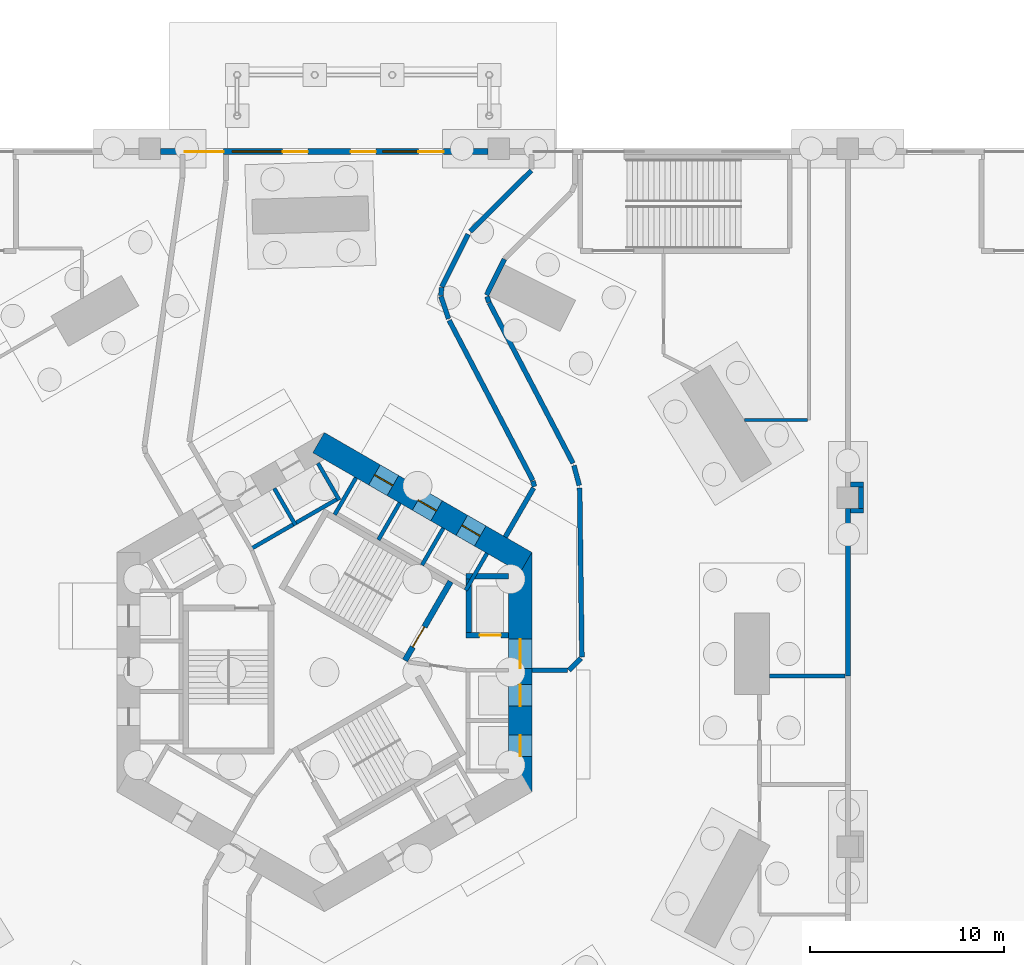
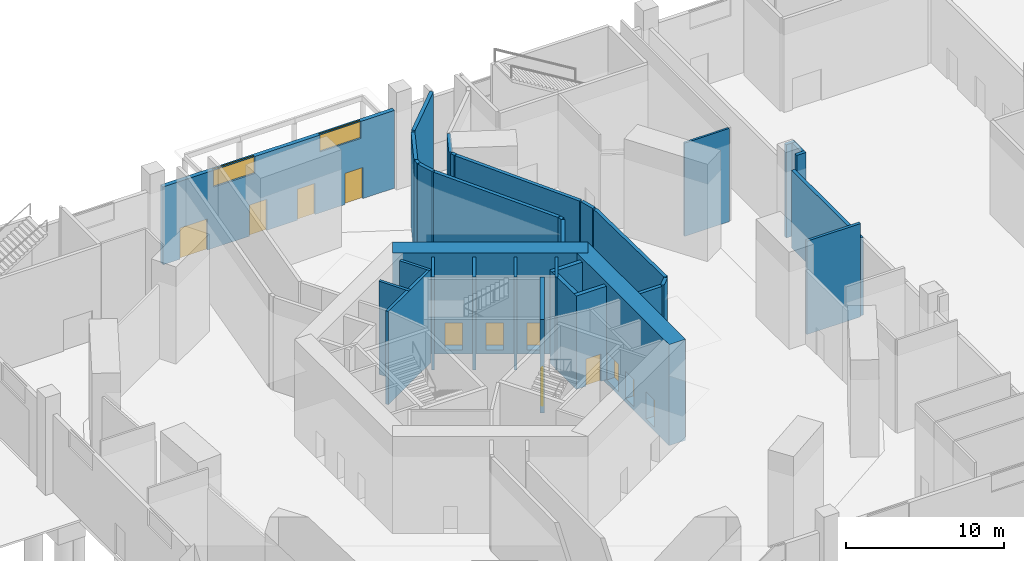
# One storey, part 9 of 16: 34 walls, 12 doors, 2 windows, 14 openings.
"""IFC4 building model written with IfcOpenShell, lengths in metres."""

from ifc_helpers import new_model, si_unit, direction, frame, frame_2d, origin, place, context, subcontext, project, spatial, rectangle, extrude, material, layer, layer_set, type_object, element, fill, save


model = new_model("IFC4")

# Units and contexts
model_context = context("Model", 3, precision=1e-05, world=origin(), true_north=direction((0.0, 1.0)))
body_context = subcontext(model_context, "Body", "Model", "MODEL_VIEW")
ifc_project = project(units=[si_unit("LENGTHUNIT", "METRE"), si_unit("AREAUNIT", "SQUARE_METRE"), si_unit("VOLUMEUNIT", "CUBIC_METRE"), si_unit("PLANEANGLEUNIT", "RADIAN"), si_unit("MASSUNIT", "GRAM", prefix="KILO")], contexts=[model_context])

# Site, building, storey
site_placement = place(None, origin())
site = spatial("IfcSite", under=ifc_project, at=site_placement, CompositionType="ELEMENT")
building_placement = place(site_placement, origin())
building = spatial("IfcBuilding", under=site, at=building_placement, Name="Vanh Sen Convention Tower", CompositionType="ELEMENT")
storey_placement = place(building_placement, origin())
storey = spatial("IfcBuildingStorey", under=building, at=storey_placement, Name="L00", CompositionType="ELEMENT", Elevation=0.0)

# Walls
ifc_material_1 = material(Name="Concrete C40/50", Category="concrete")
ifc_layer_1 = layer(ifc_material_1, 0.25)
ifc_layer_set_1 = layer_set([ifc_layer_1], Name="Concrete C40/50")
wall_type_1 = type_object("IfcWallType", Name="Concrete wall 250 EI 180", PredefinedType="SOLIDWALL", material=ifc_layer_set_1)
wall_1_placement = place(storey_placement, frame((27.0, -0.199951171875, 0.0), z_axis=(0.0, 0.0, 1.0), x_axis=(0.0, 1.0, 0.0)))
element("IfcWall", 1, at=wall_1_placement, inside=storey, type_object=wall_type_1, Name="Fire-resisting wall L00-042", PredefinedType="SOLIDWALL", context=body_context, shape_type="SweptSolid", body=[
    extrude(rectangle(XDim=8.64990234375, YDim=0.25, at=frame_2d((4.324951171875, 0.0))), origin(), (0.0, 0.0, 1.0), 6.0),
])
wall_2_placement = place(storey_placement, frame((27.125, 8.324951171875, 0.0), z_axis=(0.0, 0.0, 1.0), x_axis=(1.0, 0.0, 0.0)))
element("IfcWall", 2, at=wall_2_placement, inside=storey, type_object=wall_type_1, Name="Fire-resisting wall L00-049", PredefinedType="SOLIDWALL", context=body_context, shape_type="SweptSolid", body=[
    extrude(rectangle(XDim=0.677001953125, YDim=0.25, at=frame_2d((0.33837890625, 0.0))), origin(), (0.0, 0.0, 1.0), 7.199951171875),
])
wall_3_placement = place(storey_placement, frame((27.677001953125, 8.449951171875, 0.0), z_axis=(0.0, 0.0, 1.0), x_axis=(0.0, 1.0, 0.0)))
element("IfcWall", 3, at=wall_3_placement, inside=storey, type_object=wall_type_1, Name="Fire-resisting wall L00-050", PredefinedType="SOLIDWALL", context=body_context, shape_type="SweptSolid", body=[
    extrude(rectangle(XDim=1.10009765625, YDim=0.25, at=frame_2d((0.550048828125, 0.0))), origin(), (0.0, 0.0, 1.0), 7.199951171875),
])
wall_4_placement = place(storey_placement, frame((27.125, 9.675048828125, 0.0), z_axis=(0.0, 0.0, 1.0), x_axis=(1.0, 0.0, 0.0)))
element("IfcWall", 4, at=wall_4_placement, inside=storey, type_object=wall_type_1, Name="Fire-resisting wall L00-054", PredefinedType="SOLIDWALL", context=body_context, shape_type="SweptSolid", body=[
    extrude(rectangle(XDim=0.677001953125, YDim=0.25, at=frame_2d((0.33837890625, 0.0))), origin(), (0.0, 0.0, 1.0), 7.199951171875),
])
ifc_layer_2 = layer(ifc_material_1, 0.25)
ifc_layer_set_2 = layer_set([ifc_layer_2], Name="Concrete C40/50")
wall_type_2 = type_object("IfcWallType", Name="Concrete wall 250 REI 180", PredefinedType="SOLIDWALL", material=ifc_layer_set_2)
wall_5_placement = place(storey_placement, frame((12.54052734375, 0.10009765625, 0.0), z_axis=(0.0, 0.0, 1.0), x_axis=(-1.0, 0.0, 0.0)))
element("IfcWall", 5, at=wall_5_placement, inside=storey, type_object=wall_type_2, Name="Fire-resisting wall L00-043", PredefinedType="SOLIDWALL", context=body_context, shape_type="SweptSolid", body=[
    extrude(rectangle(XDim=1.840576171875, YDim=0.25, at=frame_2d((0.92041015625, 0.0))), origin(), (0.0, 0.0, 1.0), 7.199951171875),
])
wall_6_placement = place(storey_placement, frame((13.224853515625, 0.712646484375, 0.0), z_axis=(0.0, 0.0, 1.0), x_axis=(-0.702266678406, -0.711913978231, 0.0)))
element("IfcWall", 6, at=wall_6_placement, inside=storey, type_object=wall_type_2, Name="Fire-resisting wall L00-044", PredefinedType="SOLIDWALL", context=body_context, shape_type="SweptSolid", body=[
    extrude(rectangle(XDim=0.8603515625, YDim=0.25, at=frame_2d((0.43017578125, 0.0))), origin(), (0.0, 0.0, 1.0), 7.199951171875),
])
wall_7_placement = place(storey_placement, frame((9.3291015625, 6.968994140625, 0.0), z_axis=(0.0, 0.0, 1.0), x_axis=(0.49998782916, 0.866032430508, 0.0)))
element("IfcWall", 7, at=wall_7_placement, inside=storey, type_object=wall_type_2, Name="Fire-resisting wall L00-047", PredefinedType="SOLIDWALL", context=body_context, shape_type="SweptSolid", body=[
    extrude(rectangle(XDim=2.919921875, YDim=0.25, at=frame_2d((1.4599609375, 0.0))), origin(), (0.0, 0.0, 1.0), 7.199951171875),
])
wall_8_placement = place(storey_placement, frame((13.1650390625, 9.490478515625, 0.0), z_axis=(0.0, 0.0, 1.0), x_axis=(0.013296324571, -0.999911599969, 0.0)))
element("IfcWall", 8, at=wall_8_placement, inside=storey, type_object=wall_type_2, Name="Fire-resisting wall L00-052", PredefinedType="SOLIDWALL", context=body_context, shape_type="SweptSolid", body=[
    extrude(rectangle(XDim=8.7216796875, YDim=0.25, at=frame_2d((4.36083984375, 0.0))), origin(), (0.0, 0.0, 1.0), 7.199951171875),
])
wall_9_placement = place(storey_placement, frame((10.75537109375, 9.8564453125, 0.0), z_axis=(0.0, 0.0, 1.0), x_axis=(0.258174364225, -0.966098337467, 0.0)))
element("IfcWall", 9, at=wall_9_placement, inside=storey, type_object=wall_type_2, Name="Fire-resisting wall L00-055", PredefinedType="SOLIDWALL", context=body_context, shape_type="SweptSolid", body=[
    extrude(rectangle(XDim=0.296875, YDim=0.25, at=frame_2d((0.1484375, 0.0))), origin(), (0.0, 0.0, 1.0), 7.199951171875),
])
wall_10_placement = place(storey_placement, frame((10.7451171875, 9.89501953125, 0.0), z_axis=(0.0, 0.0, 1.0), x_axis=(-0.463048194797, 0.886333102899, 0.0)))
element("IfcWall", 10, at=wall_10_placement, inside=storey, type_object=wall_type_2, Name="Fire-resisting wall L00-056", PredefinedType="SOLIDWALL", context=body_context, shape_type="SweptSolid", body=[
    extrude(rectangle(XDim=9.30810546875, YDim=0.25, at=frame_2d((4.654052734375, 0.0))), origin(), (0.0, 0.0, 1.0), 7.199951171875),
])
wall_11_placement = place(storey_placement, frame((12.87060546875, 10.656494140625, 0.0), z_axis=(0.0, 0.0, 1.0), x_axis=(0.258862263765, -0.965914244847, 0.0)))
element("IfcWall", 11, at=wall_11_placement, inside=storey, type_object=wall_type_2, Name="Fire-resisting wall L00-059", PredefinedType="SOLIDWALL", context=body_context, shape_type="SweptSolid", body=[
    extrude(rectangle(XDim=1.06396484375, YDim=0.25, at=frame_2d((0.531982421875, 0.0))), origin(), (0.0, 0.0, 1.0), 7.199951171875),
])
wall_12_placement = place(storey_placement, frame((6.400390625, 18.2275390625, 0.0), z_axis=(0.0, 0.0, 1.0), x_axis=(-0.317543082995, 0.948243845454, 0.0)))
element("IfcWall", 12, at=wall_12_placement, inside=storey, type_object=wall_type_2, Name="Fire-resisting wall L00-066", PredefinedType="SOLIDWALL", context=body_context, shape_type="SweptSolid", body=[
    extrude(rectangle(XDim=1.224853515625, YDim=0.25, at=frame_2d((0.6123046875, 0.0))), origin(), (0.0, 0.0, 1.0), 7.199951171875),
])
wall_13_placement = place(storey_placement, frame((8.500732421875, 19.05029296875, 0.0), z_axis=(0.0, 0.0, 1.0), x_axis=(0.463035832023, -0.88633956149, 0.0)))
element("IfcWall", 13, at=wall_13_placement, inside=storey, type_object=wall_type_2, Name="Fire-resisting wall L00-067", PredefinedType="SOLIDWALL", context=body_context, shape_type="SweptSolid", body=[
    extrude(rectangle(XDim=9.33984375, YDim=0.25, at=frame_2d((4.669921875, 0.0))), origin(), (0.0, 0.0, 1.0), 7.199951171875),
])
wall_14_placement = place(storey_placement, frame((8.389404296875, 19.373046875, 0.0), z_axis=(0.0, 0.0, 1.0), x_axis=(0.317366412838, -0.948302989557, 0.0)))
element("IfcWall", 14, at=wall_14_placement, inside=storey, type_object=wall_type_2, Name="Fire-resisting wall L00-068", PredefinedType="SOLIDWALL", context=body_context, shape_type="SweptSolid", body=[
    extrude(rectangle(XDim=0.321533203125, YDim=0.25, at=frame_2d((0.16064453125, 0.0))), origin(), (0.0, 0.0, 1.0), 7.199951171875),
])
wall_15_placement = place(storey_placement, frame((6.01416015625, 19.428955078125, 0.0), z_axis=(0.0, 0.0, 1.0), x_axis=(0.06950119921, 0.997581867973, 0.0)))
element("IfcWall", 15, at=wall_15_placement, inside=storey, type_object=wall_type_2, Name="Fire-resisting wall L00-069", PredefinedType="SOLIDWALL", context=body_context, shape_type="SweptSolid", body=[
    extrude(rectangle(XDim=0.407470703125, YDim=0.25, at=frame_2d((0.20361328125, 0.0))), origin(), (0.0, 0.0, 1.0), 7.199951171875),
])
wall_16_placement = place(storey_placement, frame((6.060302734375, 19.871337890625, 0.0), z_axis=(0.0, 0.0, 1.0), x_axis=(0.446215108919, 0.894925738021, 0.0)))
element("IfcWall", 16, at=wall_16_placement, inside=storey, type_object=wall_type_2, Name="Fire-resisting wall L00-070", PredefinedType="SOLIDWALL", context=body_context, shape_type="SweptSolid", body=[
    extrude(rectangle(XDim=3.03271484375, YDim=0.25, at=frame_2d((1.516357421875, 0.0))), origin(), (0.0, 0.0, 1.0), 7.199951171875),
])
wall_17_placement = place(storey_placement, frame((9.28564453125, 21.297607421875, 0.0), z_axis=(0.0, 0.0, 1.0), x_axis=(-0.446173207246, -0.894946629211, 0.0)))
element("IfcWall", 17, at=wall_17_placement, inside=storey, type_object=wall_type_2, Name="Fire-resisting wall L00-071", PredefinedType="SOLIDWALL", context=body_context, shape_type="SweptSolid", body=[
    extrude(rectangle(XDim=2.065673828125, YDim=0.25, at=frame_2d((1.03271484375, 0.0))), origin(), (0.0, 0.0, 1.0), 7.199951171875),
])
wall_18_placement = place(storey_placement, frame((7.52099609375, 22.734619140625, 0.0), z_axis=(0.0, 0.0, 1.0), x_axis=(0.709436783923, 0.704769075383, 0.0)))
element("IfcWall", 18, at=wall_18_placement, inside=storey, type_object=wall_type_2, Name="Fire-resisting wall L00-080", PredefinedType="SOLIDWALL", context=body_context, shape_type="SweptSolid", body=[
    extrude(rectangle(XDim=4.44580078125, YDim=0.25, at=frame_2d((2.222900390625, 0.0))), origin(), (0.0, 0.0, 1.0), 7.199951171875),
])

# Wall, openings, doors
ifc_material_2 = material(Name="Concrete C80/95", Category="concrete")
ifc_layer_3 = layer(ifc_material_2, 1.199951171875)
ifc_layer_set_3 = layer_set([ifc_layer_3], Name="Concrete C80/95")
wall_type_3 = type_object("IfcWallType", Name="Core outer wall 1200 C80/95", PredefinedType="SHEAR", material=ifc_layer_set_3)
wall_19_placement = place(storey_placement, frame((10.10009765625, -6.177490234375, -0.300048828125), z_axis=(0.0, 0.0, 1.0), x_axis=(0.0, 1.0, 0.0)))
wall_19 = element("IfcWall", 19, at=wall_19_placement, inside=storey, type_object=wall_type_3, Name="Core wall face E L00", PredefinedType="SHEAR", context=body_context, shape_type="SweptSolid", body=[
    extrude(rectangle(XDim=12.35498046875, YDim=1.199951171875, at=frame_2d((6.177490234375, 0.0))), origin(), (0.0, 0.0, 1.0), 7.800048828125),
])
opening_1_placement = place(wall_19_placement, frame((6.377685546875, 0.0, 0.300048828125)))
opening_1 = element("IfcOpeningElement", 20, at=opening_1_placement, cuts=wall_19, Name="Opening D00001", PredefinedType="OPENING", context=body_context, shape_type="SweptSolid", body=[
    extrude(rectangle(XDim=1.5, YDim=2.10009765625, at=frame_2d((0.75, 1.050048828125))), frame((0.0, 0.60986328125, 0.0), z_axis=(0.0, -1.0, 0.0), x_axis=(1.0, 0.0, 0.0)), (0.0, 0.0, 1.0), 1.219970703125),
])
opening_2_placement = place(wall_19_placement, frame((1.82763671875, 0.0, 0.300048828125)))
opening_2 = element("IfcOpeningElement", 21, at=opening_2_placement, cuts=wall_19, Name="Opening LD-LR1", PredefinedType="OPENING", context=body_context, shape_type="SweptSolid", body=[
    extrude(rectangle(XDim=1.10009765625, YDim=2.10009765625, at=frame_2d((0.550048828125, 1.050048828125))), frame((0.0, 0.60986328125, 0.0), z_axis=(0.0, -1.0, 0.0), x_axis=(1.0, 0.0, 0.0)), (0.0, 0.0, 1.0), 1.219970703125),
])
opening_3_placement = place(wall_19_placement, frame((4.427490234375, 0.0, 0.300048828125)))
opening_3 = element("IfcOpeningElement", 22, at=opening_3_placement, cuts=wall_19, Name="Opening LD-LR2", PredefinedType="OPENING", context=body_context, shape_type="SweptSolid", body=[
    extrude(rectangle(XDim=1.10009765625, YDim=2.10009765625, at=frame_2d((0.550048828125, 1.050048828125))), frame((0.0, 0.60986328125, 0.0), z_axis=(0.0, -1.0, 0.0), x_axis=(1.0, 0.0, 0.0)), (0.0, 0.0, 1.0), 1.219970703125),
])
ifc_material_3 = material(Name="Stainless steel", Category="steel")
door_type_1 = type_object("IfcDoorType", Name="Lift landing door 1100", OperationType="DOUBLE_DOOR_SLIDING", PredefinedType="DOOR", material=ifc_material_3)
door_1_placement = place(opening_2_placement, origin())
door_1 = element("IfcDoor", 23, at=door_1_placement, inside=storey, type_object=door_type_1, Name="Lift LR1 landing door LD-LR1", OperationType="DOUBLE_DOOR_SLIDING", OverallHeight=2.10009765625, OverallWidth=1.10009765625, PredefinedType="DOOR", context=body_context, shape_type="SweptSolid", body=[
    extrude(rectangle(XDim=1.10009765625, YDim=2.10009765625, at=frame_2d((0.550048828125, 1.050048828125))), frame((0.0, 0.02490234375, 0.0), z_axis=(0.0, -1.0, 0.0), x_axis=(1.0, 0.0, 0.0)), (0.0, 0.0, 1.0), 0.050048828125),
])
fill(opening_2, door_1)
door_2_placement = place(opening_3_placement, origin())
door_2 = element("IfcDoor", 24, at=door_2_placement, inside=storey, type_object=door_type_1, Name="Lift LR2 landing door LD-LR2", OperationType="DOUBLE_DOOR_SLIDING", OverallHeight=2.10009765625, OverallWidth=1.10009765625, PredefinedType="DOOR", context=body_context, shape_type="SweptSolid", body=[
    extrude(rectangle(XDim=1.10009765625, YDim=2.10009765625, at=frame_2d((0.550048828125, 1.050048828125))), frame((0.0, 0.02490234375, 0.0), z_axis=(0.0, -1.0, 0.0), x_axis=(1.0, 0.0, 0.0)), (0.0, 0.0, 1.0), 0.050048828125),
])
fill(opening_3, door_2)
ifc_material_4 = material(Name="Steel S355", Category="steel")
door_type_2 = type_object("IfcDoorType", Name="Stair lobby door 1500", OperationType="DOUBLE_DOOR_SINGLE_SWING", PredefinedType="DOOR", material=ifc_material_4)
door_3_placement = place(opening_1_placement, origin())
door_3 = element("IfcDoor", 25, at=door_3_placement, inside=storey, type_object=door_type_2, Name="Stair lobby door D00001", OperationType="DOUBLE_DOOR_SINGLE_SWING", OverallHeight=2.10009765625, OverallWidth=1.5, PredefinedType="DOOR", context=body_context, shape_type="SweptSolid", body=[
    extrude(rectangle(XDim=1.5, YDim=2.10009765625, at=frame_2d((0.75, 1.050048828125))), frame((0.0, 0.02490234375, 0.0), z_axis=(0.0, -1.0, 0.0), x_axis=(1.0, 0.0, 0.0)), (0.0, 0.0, 1.0), 0.050048828125),
])
fill(opening_1, door_3)

wall_20_placement = place(storey_placement, frame((10.39990234375, 5.657958984375, -0.300048828125), z_axis=(0.0, 0.0, 1.0), x_axis=(-0.866021384402, 0.500006961711, 0.0)))
wall_20 = element("IfcWall", 26, at=wall_20_placement, inside=storey, type_object=wall_type_3, Name="Core wall face NE L00", PredefinedType="SHEAR", context=body_context, shape_type="SweptSolid", body=[
    extrude(rectangle(XDim=12.355224609375, YDim=1.199951171875, at=frame_2d((6.177734375, 0.0))), origin(), (0.0, 0.0, 1.0), 7.800048828125),
])
opening_4_placement = place(wall_20_placement, frame((2.727783203125, 0.0, 0.300048828125)))
opening_4 = element("IfcOpeningElement", 27, at=opening_4_placement, cuts=wall_20, Name="Opening LD-LR3", PredefinedType="OPENING", context=body_context, shape_type="SweptSolid", body=[
    extrude(rectangle(XDim=1.10009765625, YDim=2.10009765625, at=frame_2d((0.550048828125, 1.050048828125))), frame((0.0, 0.60986328125, 0.0), z_axis=(0.0, -1.0, 0.0), x_axis=(1.0, 0.0, 0.0)), (0.0, 0.0, 1.0), 1.219970703125),
])
opening_5_placement = place(wall_20_placement, frame((5.32763671875, 0.0, 0.300048828125)))
opening_5 = element("IfcOpeningElement", 28, at=opening_5_placement, cuts=wall_20, Name="Opening LD-LR4", PredefinedType="OPENING", context=body_context, shape_type="SweptSolid", body=[
    extrude(rectangle(XDim=1.10009765625, YDim=2.10009765625, at=frame_2d((0.550048828125, 1.050048828125))), frame((0.0, 0.60986328125, 0.0), z_axis=(0.0, -1.0, 0.0), x_axis=(1.0, 0.0, 0.0)), (0.0, 0.0, 1.0), 1.219970703125),
])
opening_6_placement = place(wall_20_placement, frame((7.927734375, 0.0, 0.300048828125)))
opening_6 = element("IfcOpeningElement", 29, at=opening_6_placement, cuts=wall_20, Name="Opening LD-LR5", PredefinedType="OPENING", context=body_context, shape_type="SweptSolid", body=[
    extrude(rectangle(XDim=1.10009765625, YDim=2.10009765625, at=frame_2d((0.550048828125, 1.050048828125))), frame((0.0, 0.60986328125, 0.0), z_axis=(0.0, -1.0, 0.0), x_axis=(1.0, 0.0, 0.0)), (0.0, 0.0, 1.0), 1.219970703125),
])
door_4_placement = place(opening_4_placement, origin())
door_4 = element("IfcDoor", 30, at=door_4_placement, inside=storey, type_object=door_type_1, Name="Lift LR3 landing door LD-LR3", OperationType="DOUBLE_DOOR_SLIDING", OverallHeight=2.10009765625, OverallWidth=1.10009765625, PredefinedType="DOOR", context=body_context, shape_type="SweptSolid", body=[
    extrude(rectangle(XDim=1.10009765625, YDim=2.10009765625, at=frame_2d((0.550048828125, 1.050048828125))), frame((0.0, 0.02490234375, 0.0), z_axis=(0.0, -1.0, 0.0), x_axis=(1.0, 0.0, 0.0)), (0.0, 0.0, 1.0), 0.050048828125),
])
fill(opening_4, door_4)
door_5_placement = place(opening_5_placement, origin())
door_5 = element("IfcDoor", 31, at=door_5_placement, inside=storey, type_object=door_type_1, Name="Lift LR4 landing door LD-LR4", OperationType="DOUBLE_DOOR_SLIDING", OverallHeight=2.10009765625, OverallWidth=1.10009765625, PredefinedType="DOOR", context=body_context, shape_type="SweptSolid", body=[
    extrude(rectangle(XDim=1.10009765625, YDim=2.10009765625, at=frame_2d((0.550048828125, 1.050048828125))), frame((0.0, 0.02490234375, 0.0), z_axis=(0.0, -1.0, 0.0), x_axis=(1.0, 0.0, 0.0)), (0.0, 0.0, 1.0), 0.050048828125),
])
fill(opening_5, door_5)
door_6_placement = place(opening_6_placement, origin())
door_6 = element("IfcDoor", 32, at=door_6_placement, inside=storey, type_object=door_type_1, Name="Lift LR5 landing door LD-LR5", OperationType="DOUBLE_DOOR_SLIDING", OverallHeight=2.10009765625, OverallWidth=1.10009765625, PredefinedType="DOOR", context=body_context, shape_type="SweptSolid", body=[
    extrude(rectangle(XDim=1.10009765625, YDim=2.10009765625, at=frame_2d((0.550048828125, 1.050048828125))), frame((0.0, 0.02490234375, 0.0), z_axis=(0.0, -1.0, 0.0), x_axis=(1.0, 0.0, 0.0)), (0.0, 0.0, 1.0), 0.050048828125),
])
fill(opening_6, door_6)

# Wall, opening, door
ifc_material_5 = material(Name="Concrete C60/75", Category="concrete")
ifc_layer_4 = layer(ifc_material_5, 0.300048828125)
ifc_layer_set_4 = layer_set([ifc_layer_4], Name="Concrete C60/75")
wall_type_4 = type_object("IfcWallType", Name="Fire-fighting lift shaft wall 300", PredefinedType="SHEAR", material=ifc_layer_set_4)
wall_21_placement = place(storey_placement, frame((7.300048828125, 1.89990234375, 0.0), z_axis=(0.0, 0.0, 1.0), x_axis=(1.0, 0.0, 0.0)))
wall_21 = element("IfcWall", 33, at=wall_21_placement, inside=storey, type_object=wall_type_4, Name="Fire-fighting lift shaft wall L00", PredefinedType="SHEAR", context=body_context, shape_type="SweptSolid", body=[
    extrude(rectangle(XDim=2.199951171875, YDim=0.300048828125, at=frame_2d((1.10009765625, 0.0))), origin(), (0.0, 0.0, 1.0), 7.199951171875),
])
opening_7_placement = place(wall_21_placement, frame((0.699951171875, 0.0, 0.0)))
opening_7 = element("IfcOpeningElement", 34, at=opening_7_placement, cuts=wall_21, Name="Opening LD-FF1", PredefinedType="OPENING", context=body_context, shape_type="SweptSolid", body=[
    extrude(rectangle(XDim=1.10009765625, YDim=2.10009765625, at=frame_2d((0.550048828125, 1.050048828125))), frame((0.0, 0.159912109375, 0.0), z_axis=(0.0, -1.0, 0.0), x_axis=(1.0, 0.0, 0.0)), (0.0, 0.0, 1.0), 0.320068359375),
])
door_type_3 = type_object("IfcDoorType", Name="Fire-fighting lift landing door 1100", OperationType="DOUBLE_DOOR_SLIDING", PredefinedType="DOOR", material=ifc_material_3)
door_7_placement = place(opening_7_placement, origin())
door_7 = element("IfcDoor", 35, at=door_7_placement, inside=storey, type_object=door_type_3, Name="Lift FF1 landing door LD-FF1", OperationType="DOUBLE_DOOR_SLIDING", OverallHeight=2.10009765625, OverallWidth=1.10009765625, PredefinedType="DOOR", context=body_context, shape_type="SweptSolid", body=[
    extrude(rectangle(XDim=1.10009765625, YDim=2.10009765625, at=frame_2d((0.550048828125, 1.050048828125))), frame((0.0, 0.02490234375, 0.0), z_axis=(0.0, -1.0, 0.0), x_axis=(1.0, 0.0, 0.0)), (0.0, 0.0, 1.0), 0.050048828125),
])
fill(opening_7, door_7)

# Walls
wall_22_placement = place(storey_placement, frame((7.449951171875, 1.75, 0.0), z_axis=(0.0, 0.0, 1.0), x_axis=(0.0, 1.0, 0.0)))
element("IfcWall", 36, at=wall_22_placement, inside=storey, type_object=wall_type_4, Name="Fire-fighting lift shaft wall L00", PredefinedType="SHEAR", context=body_context, shape_type="SweptSolid", body=[
    extrude(rectangle(XDim=3.35009765625, YDim=0.300048828125, at=frame_2d((1.675048828125, 0.0))), origin(), (0.0, 0.0, 1.0), 7.199951171875),
])
wall_23_placement = place(storey_placement, frame((7.300048828125, 4.949951171875, 0.0), z_axis=(0.0, 0.0, 1.0), x_axis=(1.0, 0.0, 0.0)))
element("IfcWall", 37, at=wall_23_placement, inside=storey, type_object=wall_type_4, Name="Fire-fighting lift shaft wall L00", PredefinedType="SHEAR", context=body_context, shape_type="SweptSolid", body=[
    extrude(rectangle(XDim=2.199951171875, YDim=0.300048828125, at=frame_2d((1.10009765625, 0.0))), origin(), (0.0, 0.0, 1.0), 7.199951171875),
])
ifc_layer_5 = layer(ifc_material_1, 0.199951171875)
ifc_layer_set_5 = layer_set([ifc_layer_5], Name="Concrete C40/50")
wall_type_5 = type_object("IfcWallType", Name="Lift shaft wall 200", PredefinedType="PARTITIONING", material=ifc_layer_set_5)
for number, where, z_axis, x_axis, name in (
    (38, (7.287353515625, 4.221923828125, 0.0), (0.0, 0.0, 1.0), (0.499946605688, 0.86605622881, 0.0), "Lift shaft wall L00"),
    (39, (5.03564453125, 5.52197265625, 0.0), (0.0, 0.0, 1.0), (0.499946605688, 0.86605622881, 0.0), "Lift shaft wall L00"),
    (40, (2.783935546875, 6.822021484375, 0.0), (0.0, 0.0, 1.0), (0.50002983664, 0.866008176907, 0.0), "Lift shaft wall L00"),
    (41, (0.5322265625, 8.1220703125, 0.0), (0.0, 0.0, 1.0), (0.500077893725, 0.86598042715, 0.0), "Lift shaft wall L00"),
):
    element("IfcWall", number, at=place(storey_placement, frame(where, z_axis=z_axis, x_axis=x_axis)), inside=storey, type_object=wall_type_5, Name=name, PredefinedType="PARTITIONING", context=body_context, shape_type="SweptSolid", body=[
        extrude(rectangle(XDim=2.199951171875, YDim=0.199951171875, at=frame_2d((1.10009765625, 0.0))), origin(), (0.0, 0.0, 1.0), 7.199951171875),
    ])
wall_24_placement = place(storey_placement, frame((0.80322265625, 9.008544921875, 0.0), z_axis=(0.0, 0.0, 1.0), x_axis=(-0.866028230842, -0.499995103361, 0.0)))
element("IfcWall", 42, at=wall_24_placement, inside=storey, type_object=wall_type_5, Name="Lift shaft wall L00", PredefinedType="PARTITIONING", context=body_context, shape_type="SweptSolid", body=[
    extrude(rectangle(XDim=5.39990234375, YDim=0.199951171875, at=frame_2d((2.699951171875, 0.0))), origin(), (0.0, 0.0, 1.0), 7.199951171875),
])
wall_25_placement = place(storey_placement, frame((0.7666015625, 8.8720703125, 0.0), z_axis=(0.0, 0.0, 1.0), x_axis=(-0.499994660107, 0.866028486751, 0.0)))
element("IfcWall", 43, at=wall_25_placement, inside=storey, type_object=wall_type_5, Name="Lift shaft wall L00", PredefinedType="PARTITIONING", context=body_context, shape_type="SweptSolid", body=[
    extrude(rectangle(XDim=2.19970703125, YDim=0.199951171875, at=frame_2d((1.099853515625, 0.0))), origin(), (0.0, 0.0, 1.0), 7.199951171875),
])
wall_26_placement = place(storey_placement, frame((-1.48486328125, 7.572021484375, 0.0), z_axis=(0.0, 0.0, 1.0), x_axis=(-0.50002983664, 0.866008176907, 0.0)))
element("IfcWall", 44, at=wall_26_placement, inside=storey, type_object=wall_type_5, Name="Lift shaft wall L00", PredefinedType="PARTITIONING", context=body_context, shape_type="SweptSolid", body=[
    extrude(rectangle(XDim=2.199951171875, YDim=0.199951171875, at=frame_2d((1.10009765625, 0.0))), origin(), (0.0, 0.0, 1.0), 7.199951171875),
])
ifc_material_6 = material(Name="Gypsum board on steel studs", Category="steel")
ifc_layer_6 = layer(ifc_material_6, 0.14990234375)
ifc_layer_set_6 = layer_set([ifc_layer_6], Name="Gypsum board on steel studs")
wall_type_6 = type_object("IfcWallType", Name="Partition 150 EI 60", PredefinedType="PARTITIONING", material=ifc_layer_set_6)
wall_27_placement = place(storey_placement, frame((24.919921875, 13.0, 0.0), z_axis=(0.0, 0.0, 1.0), x_axis=(-1.0, 0.0, 0.0)))
element("IfcWall", 45, at=wall_27_placement, inside=storey, type_object=wall_type_6, Name="Partition L00-062", PredefinedType="PARTITIONING", context=body_context, shape_type="SweptSolid", body=[
    extrude(rectangle(XDim=3.259521484375, YDim=0.14990234375, at=frame_2d((1.6298828125, 0.0))), origin(), (0.0, 0.0, 1.0), 7.199951171875),
])
ifc_material_7 = material(Name="Concrete C20/25", Category="concrete")
ifc_layer_7 = layer(ifc_material_7, 0.199951171875)
ifc_layer_set_7 = layer_set([ifc_layer_7], Name="Concrete C20/25")
wall_type_7 = type_object("IfcWallType", Name="Partition 200 EI 120", PredefinedType="PARTITIONING", material=ifc_layer_set_7)
wall_28_placement = place(storey_placement, frame((22.949951171875, -0.199951171875, 0.0), z_axis=(0.0, 0.0, 1.0), x_axis=(1.0, 0.0, 0.0)))
element("IfcWall", 46, at=wall_28_placement, inside=storey, type_object=wall_type_7, Name="Partition L00-041", PredefinedType="PARTITIONING", context=body_context, shape_type="SweptSolid", body=[
    extrude(rectangle(XDim=3.91015625, YDim=0.199951171875, at=frame_2d((1.955078125, 0.0))), origin(), (0.0, 0.0, 1.0), 7.199951171875),
])

# Wall, openings, doors, windows
ifc_material_8 = material(Name="Concrete C50/60", Category="concrete")
ifc_layer_8 = layer(ifc_material_8, 0.300048828125)
ifc_layer_set_8 = layer_set([ifc_layer_8], Name="Concrete C50/60")
wall_type_8 = type_object("IfcWallType", Name="Podium wall 300", PredefinedType="STANDARD", material=ifc_layer_set_8)
wall_29_placement = place(storey_placement, frame((8.449951171875, 26.85009765625, 0.0), z_axis=(0.0, 0.0, 1.0), x_axis=(-1.0, 0.0, 0.0)))
wall_29 = element("IfcWall", 47, at=wall_29_placement, inside=storey, type_object=wall_type_8, Name="Podium wall N3 L00", PredefinedType="STANDARD", context=body_context, shape_type="SweptSolid", body=[
    extrude(rectangle(XDim=16.89990234375, YDim=0.300048828125, at=frame_2d((8.449951171875, 0.0))), origin(), (0.0, 0.0, 1.0), 6.0),
])
opening_8_placement = place(wall_29_placement, frame((2.449951171875, 0.0, 4.699951171875)))
opening_8 = element("IfcOpeningElement", 48, at=opening_8_placement, cuts=wall_29, Name="Opening WP1-N5", PredefinedType="OPENING", context=body_context, shape_type="SweptSolid", body=[
    extrude(rectangle(XDim=3.0, YDim=1.300048828125, at=frame_2d((1.5, 0.64990234375))), frame((0.0, 0.159912109375, 0.0), z_axis=(0.0, -1.0, 0.0), x_axis=(1.0, 0.0, 0.0)), (0.0, 0.0, 1.0), 0.320068359375),
])
opening_9_placement = place(wall_29_placement, frame((10.199951171875, 0.0, 4.699951171875)))
opening_9 = element("IfcOpeningElement", 49, at=opening_9_placement, cuts=wall_29, Name="Opening WP1-N6", PredefinedType="OPENING", context=body_context, shape_type="SweptSolid", body=[
    extrude(rectangle(XDim=3.0, YDim=1.300048828125, at=frame_2d((1.5, 0.64990234375))), frame((0.0, 0.159912109375, 0.0), z_axis=(0.0, -1.0, 0.0), x_axis=(1.0, 0.0, 0.0)), (0.0, 0.0, 1.0), 0.320068359375),
])
opening_10_placement = place(wall_29_placement, frame((9.300048828125, 0.0, 0.0)))
opening_10 = element("IfcOpeningElement", 50, at=opening_10_placement, cuts=wall_29, Name="Opening EX09", PredefinedType="OPENING", context=body_context, shape_type="SweptSolid", body=[
    extrude(rectangle(XDim=1.300048828125, YDim=2.39990234375, at=frame_2d((0.64990234375, 1.199951171875))), frame((0.0, 0.159912109375, 0.0), z_axis=(0.0, -1.0, 0.0), x_axis=(1.0, 0.0, 0.0)), (0.0, 0.0, 1.0), 0.320068359375),
])
opening_11_placement = place(wall_29_placement, frame((5.800048828125, 0.0, 0.0)))
opening_11 = element("IfcOpeningElement", 51, at=opening_11_placement, cuts=wall_29, Name="Opening EX10", PredefinedType="OPENING", context=body_context, shape_type="SweptSolid", body=[
    extrude(rectangle(XDim=1.300048828125, YDim=2.39990234375, at=frame_2d((0.64990234375, 1.199951171875))), frame((0.0, 0.159912109375, 0.0), z_axis=(0.0, -1.0, 0.0), x_axis=(1.0, 0.0, 0.0)), (0.0, 0.0, 1.0), 0.320068359375),
])
opening_12_placement = place(wall_29_placement, frame((2.300048828125, 0.0, 0.0)))
opening_12 = element("IfcOpeningElement", 52, at=opening_12_placement, cuts=wall_29, Name="Opening EX11", PredefinedType="OPENING", context=body_context, shape_type="SweptSolid", body=[
    extrude(rectangle(XDim=1.300048828125, YDim=2.39990234375, at=frame_2d((0.64990234375, 1.199951171875))), frame((0.0, 0.159912109375, 0.0), z_axis=(0.0, -1.0, 0.0), x_axis=(1.0, 0.0, 0.0)), (0.0, 0.0, 1.0), 0.320068359375),
])
opening_13_placement = place(wall_29_placement, frame((13.64990234375, 0.0, 0.0)))
opening_13 = element("IfcOpeningElement", 53, at=opening_13_placement, cuts=wall_29, Name="Opening SD2", PredefinedType="OPENING", context=body_context, shape_type="SweptSolid", body=[
    extrude(rectangle(XDim=2.0, YDim=2.39990234375, at=frame_2d((1.0, 1.199951171875))), frame((0.0, 0.159912109375, 0.0), z_axis=(0.0, -1.0, 0.0), x_axis=(1.0, 0.0, 0.0)), (0.0, 0.0, 1.0), 0.320068359375),
])
ifc_material_9 = material(Name="Aluminium and glass entrance door", Category="aluminium")
door_type_4 = type_object("IfcDoorType", Name="Entrance door 1300", OperationType="SINGLE_SWING_LEFT", PredefinedType="DOOR", material=ifc_material_9)
door_8_placement = place(opening_10_placement, frame((1.300048828125, 0.0, 0.0), z_axis=(0.0, 0.0, 1.0), x_axis=(-1.0, 0.0, 0.0)))
door_8 = element("IfcDoor", 54, at=door_8_placement, inside=storey, type_object=door_type_4, Name="Entrance door EX09", OperationType="SINGLE_SWING_RIGHT", OverallHeight=2.39990234375, OverallWidth=1.300048828125, PredefinedType="DOOR", context=body_context, shape_type="SweptSolid", body=[
    extrude(rectangle(XDim=1.300048828125, YDim=2.39990234375, at=frame_2d((0.64990234375, 1.199951171875))), frame((0.0, 0.02490234375, 0.0), z_axis=(0.0, -1.0, 0.0), x_axis=(1.0, 0.0, 0.0)), (0.0, 0.0, 1.0), 0.050048828125),
])
fill(opening_10, door_8)
door_9_placement = place(opening_11_placement, frame((1.300048828125, 0.0, 0.0), z_axis=(0.0, 0.0, 1.0), x_axis=(-1.0, 0.0, 0.0)))
door_9 = element("IfcDoor", 55, at=door_9_placement, inside=storey, type_object=door_type_4, Name="Entrance door EX10", OperationType="SINGLE_SWING_RIGHT", OverallHeight=2.39990234375, OverallWidth=1.300048828125, PredefinedType="DOOR", context=body_context, shape_type="SweptSolid", body=[
    extrude(rectangle(XDim=1.300048828125, YDim=2.39990234375, at=frame_2d((0.64990234375, 1.199951171875))), frame((0.0, 0.02490234375, 0.0), z_axis=(0.0, -1.0, 0.0), x_axis=(1.0, 0.0, 0.0)), (0.0, 0.0, 1.0), 0.050048828125),
])
fill(opening_11, door_9)
door_10_placement = place(opening_12_placement, frame((1.300048828125, 0.0, 0.0), z_axis=(0.0, 0.0, 1.0), x_axis=(-1.0, 0.0, 0.0)))
door_10 = element("IfcDoor", 56, at=door_10_placement, inside=storey, type_object=door_type_4, Name="Entrance door EX11", OperationType="SINGLE_SWING_RIGHT", OverallHeight=2.39990234375, OverallWidth=1.300048828125, PredefinedType="DOOR", context=body_context, shape_type="SweptSolid", body=[
    extrude(rectangle(XDim=1.300048828125, YDim=2.39990234375, at=frame_2d((0.64990234375, 1.199951171875))), frame((0.0, 0.02490234375, 0.0), z_axis=(0.0, -1.0, 0.0), x_axis=(1.0, 0.0, 0.0)), (0.0, 0.0, 1.0), 0.050048828125),
])
fill(opening_12, door_10)
door_type_5 = type_object("IfcDoorType", Name="Entrance door 2000", OperationType="DOUBLE_DOOR_SINGLE_SWING", PredefinedType="DOOR", material=ifc_material_9)
door_11_placement = place(opening_13_placement, frame((2.0, 0.0, 0.0), z_axis=(0.0, 0.0, 1.0), x_axis=(-1.0, 0.0, 0.0)))
door_11 = element("IfcDoor", 57, at=door_11_placement, inside=storey, type_object=door_type_5, Name="Entrance door SD2", OperationType="DOUBLE_DOOR_SINGLE_SWING", OverallHeight=2.39990234375, OverallWidth=2.0, PredefinedType="DOOR", context=body_context, shape_type="SweptSolid", body=[
    extrude(rectangle(XDim=2.0, YDim=2.39990234375, at=frame_2d((1.0, 1.199951171875))), frame((0.0, 0.02490234375, 0.0), z_axis=(0.0, -1.0, 0.0), x_axis=(1.0, 0.0, 0.0)), (0.0, 0.0, 1.0), 0.050048828125),
])
fill(opening_13, door_11)
ifc_material_10 = material(Name="Aluminium frame with clear low-emissivity glass", Category="aluminium")
window_type = type_object("IfcWindowType", Name="Podium window 3000 x 1300", PartitioningType="SINGLE_PANEL", PredefinedType="WINDOW", material=ifc_material_10)
window_1_placement = place(opening_8_placement, origin())
window_1 = element("IfcWindow", 58, at=window_1_placement, inside=storey, type_object=window_type, Name="Window WP1-N5", OverallHeight=1.300048828125, OverallWidth=3.0, PartitioningType="SINGLE_PANEL", PredefinedType="WINDOW", context=body_context, shape_type="SweptSolid", body=[
    extrude(rectangle(XDim=3.0, YDim=1.300048828125, at=frame_2d((1.5, 0.64990234375))), frame((0.0, 0.030029296875, 0.0), z_axis=(0.0, -1.0, 0.0), x_axis=(1.0, 0.0, 0.0)), (0.0, 0.0, 1.0), 0.06005859375),
])
fill(opening_8, window_1)
window_2_placement = place(opening_9_placement, origin())
window_2 = element("IfcWindow", 59, at=window_2_placement, inside=storey, type_object=window_type, Name="Window WP1-N6", OverallHeight=1.300048828125, OverallWidth=3.0, PartitioningType="SINGLE_PANEL", PredefinedType="WINDOW", context=body_context, shape_type="SweptSolid", body=[
    extrude(rectangle(XDim=3.0, YDim=1.300048828125, at=frame_2d((1.5, 0.64990234375))), frame((0.0, 0.030029296875, 0.0), z_axis=(0.0, -1.0, 0.0), x_axis=(1.0, 0.0, 0.0)), (0.0, 0.0, 1.0), 0.06005859375),
])
fill(opening_9, window_2)

# Wall, opening, door
ifc_layer_9 = layer(ifc_material_5, 0.300048828125)
ifc_layer_set_9 = layer_set([ifc_layer_9], Name="Concrete C60/75")
wall_type_9 = type_object("IfcWallType", Name="Stair wall 300", PredefinedType="SHEAR", material=ifc_layer_set_9)
wall_30_placement = place(storey_placement, frame((4.157958984375, 0.601806640625, 0.0), z_axis=(0.0, 0.0, 1.0), x_axis=(0.499977259774, 0.866038532462, 0.0)))
wall_30 = element("IfcWall", 60, at=wall_30_placement, inside=storey, type_object=wall_type_9, Name="Stair wall L00", PredefinedType="SHEAR", context=body_context, shape_type="SweptSolid", body=[
    extrude(rectangle(XDim=4.699951171875, YDim=0.300048828125, at=frame_2d((2.35009765625, 0.0))), origin(), (0.0, 0.0, 1.0), 7.199951171875),
])
opening_14_placement = place(wall_30_placement, frame((0.800048828125, 0.0, 0.0)))
opening_14 = element("IfcOpeningElement", 61, at=opening_14_placement, cuts=wall_30, Name="Opening D00004", PredefinedType="OPENING", context=body_context, shape_type="SweptSolid", body=[
    extrude(rectangle(XDim=1.199951171875, YDim=2.10009765625, at=frame_2d((0.60009765625, 1.050048828125))), frame((0.0, 0.159912109375, 0.0), z_axis=(0.0, -1.0, 0.0), x_axis=(1.0, 0.0, 0.0)), (0.0, 0.0, 1.0), 0.320068359375),
])
door_type_6 = type_object("IfcDoorType", Name="Stair door 1200", OperationType="SINGLE_SWING_RIGHT", PredefinedType="DOOR", material=ifc_material_4)
door_12_placement = place(opening_14_placement, origin())
door_12 = element("IfcDoor", 62, at=door_12_placement, inside=storey, type_object=door_type_6, Name="Stair ST1 door D00004", OperationType="SINGLE_SWING_RIGHT", OverallHeight=2.10009765625, OverallWidth=1.199951171875, PredefinedType="DOOR", context=body_context, shape_type="SweptSolid", body=[
    extrude(rectangle(XDim=1.199951171875, YDim=2.10009765625, at=frame_2d((0.60009765625, 1.050048828125))), frame((0.0, 0.02490234375, 0.0), z_axis=(0.0, -1.0, 0.0), x_axis=(1.0, 0.0, 0.0)), (0.0, 0.0, 1.0), 0.050048828125),
])
fill(opening_14, door_12)

save(model, "model.ifc")
